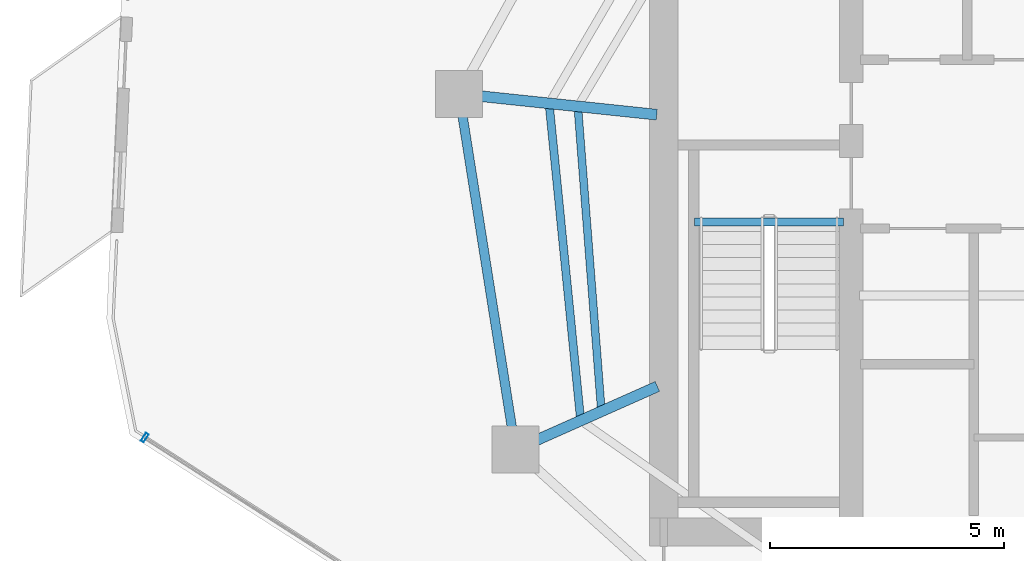
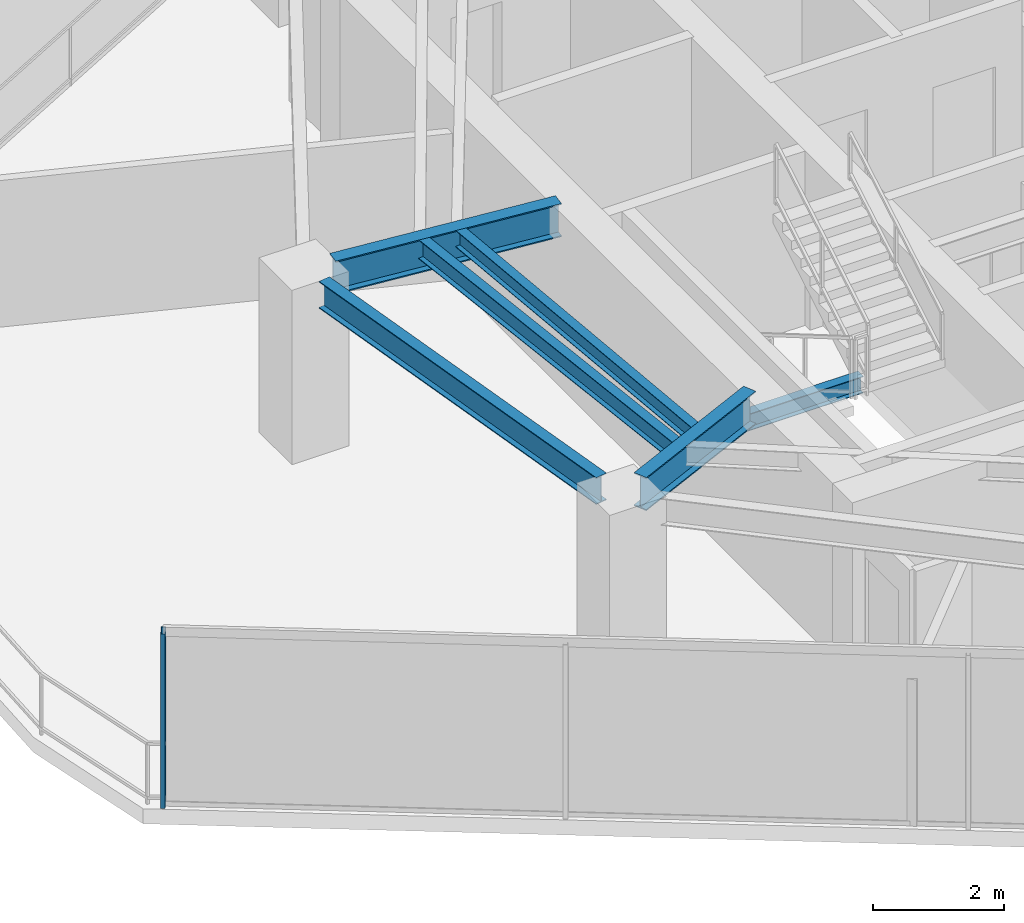
# One storey, part 5 of 20: 6 beams, 1 member, 1 element without a shape of its own.
"""IFC4 building model written with IfcOpenShell, lengths in metres."""

from ifc_helpers import new_model, si_unit, direction, frame, origin, origin_2d, place, context, subcontext, project, spatial, hollow_rectangle, i_section, extrude, material, layer, layer_set, material_profile, profile_set, type_object, element, aggregate, save


model = new_model("IFC4")

# Units and contexts
model_context = context("Model", 3, precision=1e-05, world=origin(), true_north=direction((0.0, 1.0)))
body_context = subcontext(model_context, "Body", "Model", "MODEL_VIEW")
ifc_project = project(units=[si_unit("LENGTHUNIT", "METRE"), si_unit("AREAUNIT", "SQUARE_METRE"), si_unit("VOLUMEUNIT", "CUBIC_METRE"), si_unit("PLANEANGLEUNIT", "RADIAN"), si_unit("MASSUNIT", "GRAM", prefix="KILO")], contexts=[model_context])

# Site, building, storey
site_placement = place(None, origin())
site = spatial("IfcSite", under=ifc_project, at=site_placement, CompositionType="ELEMENT")
building_placement = place(site_placement, origin())
building = spatial("IfcBuilding", under=site, at=building_placement, Name="Qarnah Convention Tower", CompositionType="ELEMENT")
storey_placement = place(building_placement, frame((0.0, 0.0, 168.89990234375)))
storey = spatial("IfcBuildingStorey", under=building, at=storey_placement, Name="L45", CompositionType="ELEMENT", Elevation=168.89990234375)

# Beams
ifc_material_1 = material(Name="Structural steel S355JR", Category="steel")
ifc_material_profile_1 = material_profile(ifc_material_1, i_section(OverallWidth=0.166015625, OverallDepth=0.31201171875, WebThickness=0.007080078125, FlangeThickness=0.010986328125, at=origin_2d()), Name="W310X45")
ifc_profile_set_1 = profile_set([ifc_material_profile_1], Name="Structural steel S355JR")
beam_type_1 = type_object("IfcBeamType", Name="BM-JST-W310", PredefinedType="JOIST", material=ifc_profile_set_1)
beam_1_placement = place(storey_placement, frame((27.4599609375, 25.217041015625, -0.156005859375), z_axis=(1.0, 0.0, 0.0), x_axis=(0.0, 1.0, 0.0)))
element("IfcBeam", 1, at=beam_1_placement, inside=storey, type_object=beam_type_1, Name="L45 stair landing trimmer beam BM-L45-ST1-TRM", PredefinedType="BEAM", context=body_context, shape_type="SweptSolid", body=[
    extrude(i_section(OverallWidth=0.166015625, OverallDepth=0.31201171875, WebThickness=0.007080078125, FlangeThickness=0.010986328125, at=origin_2d()), origin(), (0.0, 0.0, 1.0), 3.179931640625),
])
beam_2_placement = place(storey_placement, frame((24.971923828125, 27.595947265625, 3.083984375), z_axis=(0.07735538429, -0.997003583003, 0.0), x_axis=(0.997003583003, 0.07735538429, 0.0)))
element("IfcBeam", 2, at=beam_2_placement, inside=storey, type_object=beam_type_1, Name="L45 joist BM-L45-IJST-05", PredefinedType="JOIST", context=body_context, shape_type="SweptSolid", body=[
    extrude(i_section(OverallWidth=0.166015625, OverallDepth=0.31201171875, WebThickness=0.007080078125, FlangeThickness=0.010986328125, at=origin_2d()), origin(), (0.0, 0.0, 1.0), 6.346923828125),
])
ifc_material_profile_2 = material_profile(ifc_material_1, i_section(OverallWidth=0.172119140625, OverallDepth=0.35595703125, WebThickness=0.007080078125, FlangeThickness=0.011962890625, at=origin_2d()), Name="W360X51")
ifc_profile_set_2 = profile_set([ifc_material_profile_2], Name="Structural steel S355JR")
beam_type_2 = type_object("IfcBeamType", Name="BM-JST-W360", PredefinedType="JOIST", material=ifc_profile_set_2)
beam_3_placement = place(storey_placement, frame((24.362060546875, 27.659912109375, 3.06201171875), z_axis=(0.099058399416, -0.995081621529, 0.0), x_axis=(0.995081621529, 0.099058399416, 0.0)))
element("IfcBeam", 3, at=beam_3_placement, inside=storey, type_object=beam_type_2, Name="L45 joist BM-L45-SJST-05", PredefinedType="JOIST", context=body_context, shape_type="SweptSolid", body=[
    extrude(i_section(OverallWidth=0.172119140625, OverallDepth=0.35595703125, WebThickness=0.007080078125, FlangeThickness=0.011962890625, at=origin_2d()), origin(), (0.0, 0.0, 1.0), 6.622314453125),
])
ifc_material_profile_3 = material_profile(ifc_material_1, i_section(OverallWidth=0.22998046875, OverallDepth=0.617919921875, WebThickness=0.012939453125, FlangeThickness=0.02197265625, at=origin_2d()), Name="W610X140")
ifc_profile_set_3 = profile_set([ifc_material_profile_3], Name="Structural steel S355JR")
beam_type_3 = type_object("IfcBeamType", Name="BM-RAD-W610A", PredefinedType="BEAM", material=ifc_profile_set_3)
beam_4_placement = place(storey_placement, frame((26.65087890625, 27.509033203125, 2.93115234375), z_axis=(-0.994531015982, 0.104441649973, 0.0), x_axis=(-0.104441649973, -0.994531015982, 0.0)))
element("IfcBeam", 4, at=beam_4_placement, inside=storey, type_object=beam_type_3, Name="L45 beam BM-L45-RAD-05", PredefinedType="BEAM", context=body_context, shape_type="SweptSolid", body=[
    extrude(i_section(OverallWidth=0.22998046875, OverallDepth=0.617919921875, WebThickness=0.012939453125, FlangeThickness=0.02197265625, at=origin_2d()), origin(), (0.0, 0.0, 1.0), 3.763427734375),
])
beam_5_placement = place(storey_placement, frame((26.6630859375, 21.708984375, 2.93115234375), z_axis=(-0.913488265638, -0.406865074123, 0.0), x_axis=(0.406865074123, -0.913488265638, 0.0)))
element("IfcBeam", 5, at=beam_5_placement, inside=storey, type_object=beam_type_3, Name="L45 beam BM-L45-RAD-06", PredefinedType="BEAM", context=body_context, shape_type="SweptSolid", body=[
    extrude(i_section(OverallWidth=0.22998046875, OverallDepth=0.617919921875, WebThickness=0.012939453125, FlangeThickness=0.02197265625, at=origin_2d()), origin(), (0.0, 0.0, 1.0), 2.83642578125),
])
ifc_material_profile_4 = material_profile(ifc_material_1, i_section(OverallWidth=0.199951171875, OverallDepth=0.5, WebThickness=0.010009765625, FlangeThickness=0.01611328125, at=origin_2d()), Name="IPE500")
ifc_profile_set_4 = profile_set([ifc_material_profile_4], Name="Structural steel S355JR")
beam_type_4 = type_object("IfcBeamType", Name="BM-SPN-IPE500", PredefinedType="SPANDREL", material=ifc_profile_set_4)
beam_6_placement = place(storey_placement, frame((22.508056640625, 27.468017578125, 2.989990234375), z_axis=(0.156388773261, -0.987695576379, 0.0), x_axis=(0.987695576379, 0.156388773261, 0.0)))
element("IfcBeam", 6, at=beam_6_placement, inside=storey, type_object=beam_type_4, Name="L45 spandrel BM-L45-SPN-05", PredefinedType="SPANDREL", context=body_context, shape_type="SweptSolid", body=[
    extrude(i_section(OverallWidth=0.199951171875, OverallDepth=0.5, WebThickness=0.010009765625, FlangeThickness=0.01611328125, at=origin_2d()), origin(), (0.0, 0.0, 1.0), 6.70654296875),
])

# Curtain wall, member
ifc_material_2 = material(Name="Tempered Low-E dark glass", Category="glass")
ifc_layer = layer(ifc_material_2, 0.172119140625)
ifc_layer_set = layer_set([ifc_layer], Name="Tempered Low-E dark glass")
curtain_wall_type = type_object("IfcCurtainWallType", Name="CWS-03", PredefinedType="NOTDEFINED", material=ifc_layer_set)
curtain_wall_placement = place(storey_placement, origin())
curtain_wall = element("IfcCurtainWall", 7, at=curtain_wall_placement, inside=storey, type_object=curtain_wall_type, Name="L45 unitised curtain wall CW-L45-F1", PredefinedType="NOTDEFINED")
ifc_material_3 = material(Name="Black anodised aluminium", Category="aluminium")
ifc_material_profile_5 = material_profile(ifc_material_3, hollow_rectangle(XDim=0.070068359375, YDim=0.199951171875, WallThickness=0.0048828125, at=origin_2d()), Name="MUL-70X200")
ifc_profile_set_5 = profile_set([ifc_material_profile_5], Name="Black anodised aluminium")
member_type = type_object("IfcMemberType", Name="MUL-T3", PredefinedType="MULLION", material=ifc_profile_set_5)
member_placement = place(storey_placement, frame((15.721923828125, 20.615966796875, 0.0), z_axis=(0.0, 0.0, 1.0), x_axis=(-0.84208072788, 0.539351506657, 0.0)))
member = element("IfcMember", 8, at=member_placement, type_object=member_type, Name="CW-L45-F1 mullion 6", PredefinedType="MULLION", context=body_context, shape_type="SweptSolid", body=[
    extrude(hollow_rectangle(XDim=0.070068359375, YDim=0.199951171875, WallThickness=0.0048828125, at=origin_2d()), origin(), (0.0, 0.0, 1.0), 3.239990234375),
])
aggregate(curtain_wall, [member])

save(model, "model.ifc")
